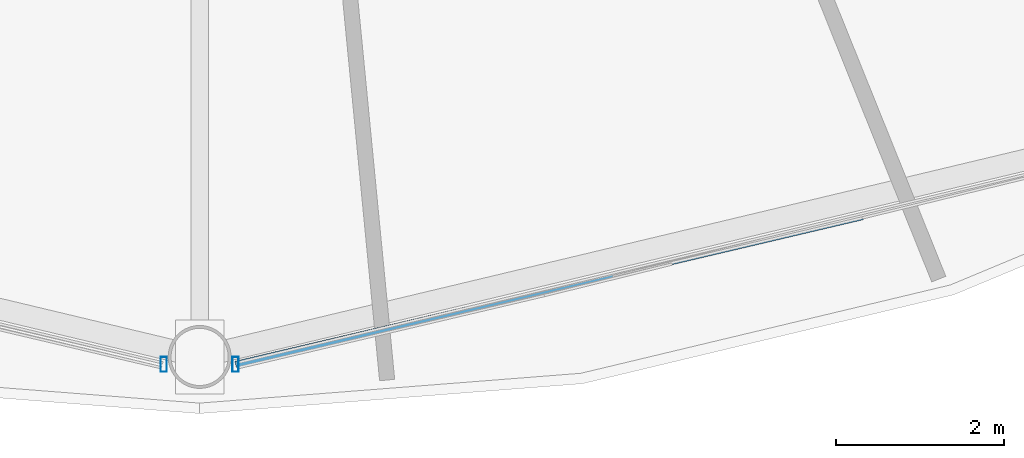
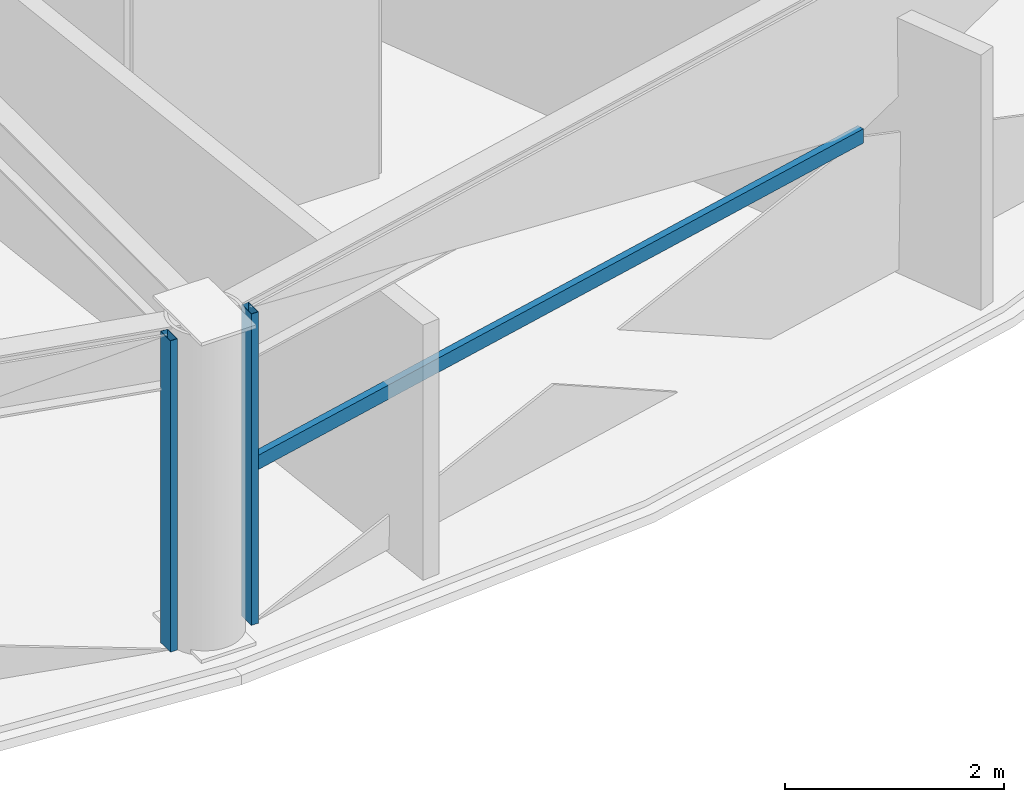
# One storey, part 5 of 32: 3 members, 2 elements without a shape of their own.
"""IFC4 building model written with IfcOpenShell, lengths in metres."""

from ifc_helpers import new_model, si_unit, direction, frame, origin, origin_2d, place, context, subcontext, project, spatial, hollow_rectangle, extrude, material, layer, layer_set, material_profile, profile_set, type_object, element, aggregate, save


model = new_model("IFC4")

# Units and contexts
model_context = context("Model", 3, precision=1e-05, world=origin(), true_north=direction((0.0, 1.0)))
body_context = subcontext(model_context, "Body", "Model", "MODEL_VIEW")
ifc_project = project(units=[si_unit("LENGTHUNIT", "METRE"), si_unit("AREAUNIT", "SQUARE_METRE"), si_unit("VOLUMEUNIT", "CUBIC_METRE"), si_unit("PLANEANGLEUNIT", "RADIAN"), si_unit("MASSUNIT", "GRAM", prefix="KILO")], contexts=[model_context])

# Site, building, storey
site_placement = place(None, origin())
site = spatial("IfcSite", under=ifc_project, at=site_placement, CompositionType="ELEMENT")
building_placement = place(site_placement, origin())
building = spatial("IfcBuilding", under=site, at=building_placement, Name="Vantalir Tower", CompositionType="ELEMENT")
storey_placement = place(building_placement, frame((0.0, 0.0, 108.449951171875)))
storey = spatial("IfcBuildingStorey", under=building, at=storey_placement, Name="L26", CompositionType="ELEMENT", Elevation=108.449951171875)

# Curtain wall, member
ifc_material_1 = material(Name="Champagne-silver PVDF aluminium and double-silver Low-E glass", Category="aluminium")
ifc_layer = layer(ifc_material_1, 0.199951171875)
ifc_layer_set = layer_set([ifc_layer], Name="Champagne-silver PVDF aluminium and double-silver Low-E glass")
curtain_wall_type = type_object("IfcCurtainWallType", Name="CW-DIAMOND-Z2", PredefinedType="USERDEFINED", material=ifc_layer_set)
curtain_wall_1_placement = place(storey_placement, origin())
curtain_wall_1 = element("IfcCurtainWall", 1, at=curtain_wall_1_placement, inside=storey, type_object=curtain_wall_type, Name="L26 Quilted Pyramid-Diamond Curtain Wall S09", ObjectType="UNITISED CURTAIN WALL", PredefinedType="USERDEFINED")
ifc_material_2 = material(Name="Champagne-silver PVDF aluminium 6063-T6", Category="aluminium")
ifc_material_profile_1 = material_profile(ifc_material_2, hollow_rectangle(XDim=0.074951171875, YDim=0.179931640625, WallThickness=0.00390625, at=origin_2d()), Name="Champagne-silver PVDF aluminium 6063-T6")
ifc_profile_set_1 = profile_set([ifc_material_profile_1], Name="Champagne-silver PVDF aluminium 6063-T6")
member_type_1 = type_object("IfcMemberType", Name="CWM-180x75", PredefinedType="MULLION", material=ifc_profile_set_1)
member_1_placement = place(storey_placement, frame((31.072021484375, 2.1240234375, 0.045166015625), z_axis=(0.0, 0.0, 1.0), x_axis=(1.0, 0.0, 0.0)))
member_1 = element("IfcMember", 2, at=member_1_placement, type_object=member_type_1, Name="CW-L26-S09 Mullion 2", PredefinedType="MULLION", context=body_context, shape_type="SweptSolid", body=[
    extrude(hollow_rectangle(XDim=0.074951171875, YDim=0.179931640625, WallThickness=0.00390625, at=origin_2d()), origin(), (0.0, 0.0, 1.0), 3.47998046875),
])
aggregate(curtain_wall_1, [member_1])

# Curtain wall, members
curtain_wall_2_placement = place(storey_placement, origin())
curtain_wall_2 = element("IfcCurtainWall", 3, at=curtain_wall_2_placement, inside=storey, type_object=curtain_wall_type, Name="L26 Quilted Pyramid-Diamond Curtain Wall S10", ObjectType="UNITISED CURTAIN WALL", PredefinedType="USERDEFINED")
member_2_placement = place(storey_placement, frame((31.927978515625, 2.1240234375, 0.045166015625), z_axis=(0.0, 0.0, 1.0), x_axis=(1.0, 0.0, 0.0)))
member_2 = element("IfcMember", 4, at=member_2_placement, type_object=member_type_1, Name="CW-L26-S10 Mullion 1", PredefinedType="MULLION", context=body_context, shape_type="SweptSolid", body=[
    extrude(hollow_rectangle(XDim=0.074951171875, YDim=0.179931640625, WallThickness=0.00390625, at=origin_2d()), origin(), (0.0, 0.0, 1.0), 3.47998046875),
])
ifc_material_profile_2 = material_profile(ifc_material_2, hollow_rectangle(XDim=0.074951171875, YDim=0.159912109375, WallThickness=0.00390625, at=origin_2d()), Name="Champagne-silver PVDF aluminium 6063-T6")
ifc_profile_set_2 = profile_set([ifc_material_profile_2], Name="Champagne-silver PVDF aluminium 6063-T6")
member_type_2 = type_object("IfcMemberType", Name="CWT-160x75", PredefinedType="USERDEFINED", material=ifc_profile_set_2)
member_3_placement = place(storey_placement, frame((31.927978515625, 2.1240234375, 1.78515625), z_axis=(0.973369996318, 0.229239722272, 0.0), x_axis=(-0.229239722272, 0.973369996318, 0.0)))
member_3 = element("IfcMember", 5, at=member_3_placement, type_object=member_type_2, Name="CW-L26-S10 Pyramid Fold Ridge Transom", ObjectType="TRANSOM", PredefinedType="USERDEFINED", context=body_context, shape_type="SweptSolid", body=[
    extrude(hollow_rectangle(XDim=0.074951171875, YDim=0.159912109375, WallThickness=0.00390625, at=origin_2d()), origin(), (0.0, 0.0, 1.0), 7.67333984375),
])
aggregate(curtain_wall_2, [member_2, member_3])

save(model, "model.ifc")
